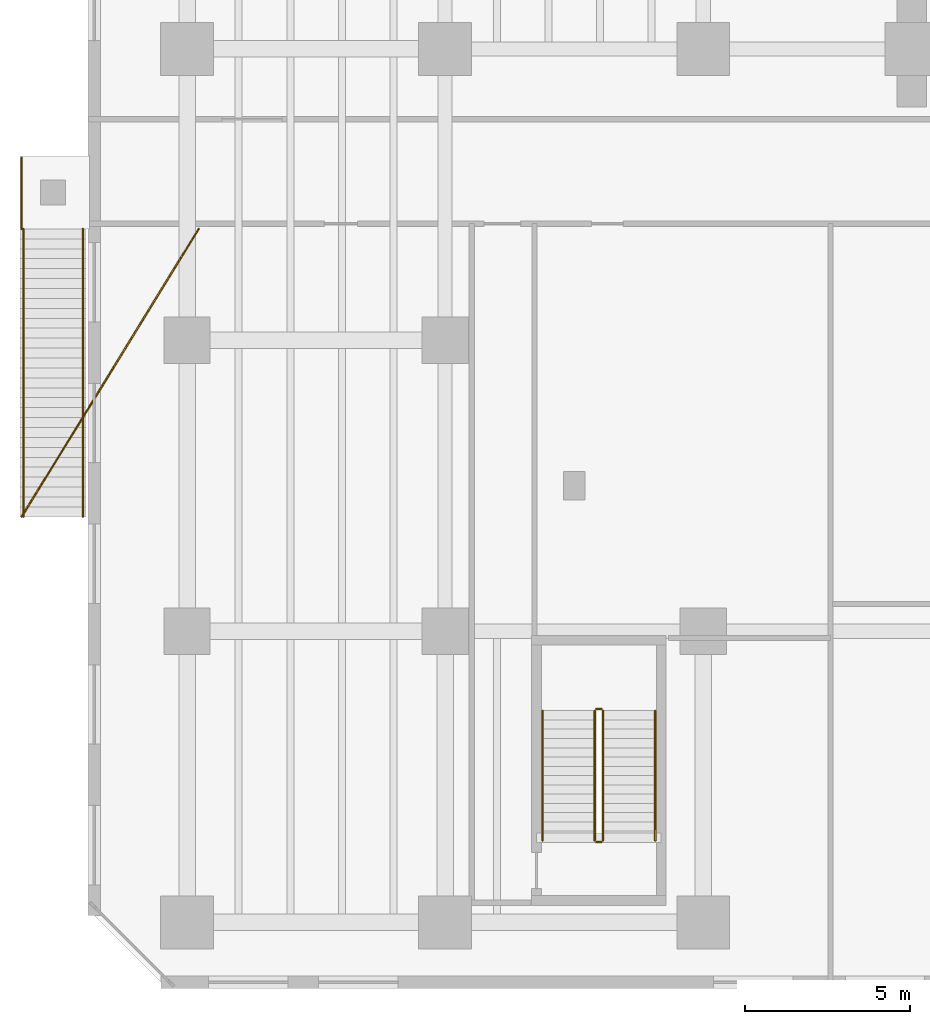
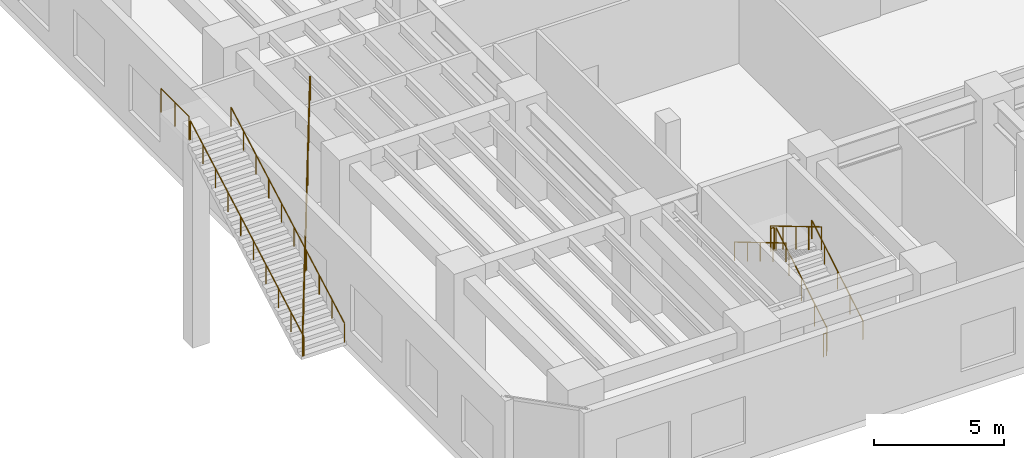
# One storey, part 18 of 19: 10 railings.
"""IFC4 building model written with IfcOpenShell, lengths in metres."""

from ifc_helpers import new_model, si_unit, direction, frame, origin, origin_2d, place, context, subcontext, project, spatial, circle, extrude, material, type_object, element, save


model = new_model("IFC4")

# Units and contexts
model_context = context("Model", 3, precision=1e-05, world=origin(), true_north=direction((0.0, 1.0)))
body_context = subcontext(model_context, "Body", "Model", "MODEL_VIEW")
ifc_project = project(units=[si_unit("LENGTHUNIT", "METRE"), si_unit("AREAUNIT", "SQUARE_METRE"), si_unit("VOLUMEUNIT", "CUBIC_METRE"), si_unit("PLANEANGLEUNIT", "RADIAN"), si_unit("MASSUNIT", "GRAM", prefix="KILO")], contexts=[model_context])

# Site, building, storey
site_placement = place(None, origin())
site = spatial("IfcSite", under=ifc_project, at=site_placement, CompositionType="ELEMENT")
building_placement = place(site_placement, origin())
building = spatial("IfcBuilding", under=site, at=building_placement, Name="Kestravale Grand Hotel", CompositionType="ELEMENT")
storey_placement = place(building_placement, frame((0.0, 0.0, 5.39990234375)))
storey = spatial("IfcBuildingStorey", under=building, at=storey_placement, Name="L01", CompositionType="ELEMENT", Elevation=5.39990234375)

# Railings
ifc_material_1 = material(Name="Champagne-bronze stainless steel and laminated glass guard", Category="steel")
railing_type_1 = type_object("IfcRailingType", Name="RL-EXT-1100", PredefinedType="GUARDRAIL", material=ifc_material_1)
railing_1_placement = place(storey_placement, frame((-5.0, 14.659912109375, 0.166748046875)))
element("IfcRailing", 1, at=railing_1_placement, inside=storey, type_object=railing_type_1, Name="L01 garden stair flight guard", PredefinedType="GUARDRAIL", context=body_context, shape_type="SweptSolid", body=[
    extrude(circle(Radius=0.02392578125, at=origin_2d()), frame((0.0, 0.0, 1.09619140625), z_axis=(0.473483576027, 0.769967176932, 0.427742737729), x_axis=(-0.851827341363, 0.523822661315, 0.0)), (0.0, 0.0, 1.0), 11.29931640625),
    extrude(circle(Radius=0.02099609375, at=origin_2d()), origin(), (0.0, 0.0, 1.0), 1.072021484375),
    extrude(circle(Radius=0.02099609375, at=origin_2d()), frame((0.8916015625, 1.449951171875, 0.8056640625)), (0.0, 0.0, 1.0), 1.072021484375),
    extrude(circle(Radius=0.02099609375, at=origin_2d()), frame((1.783447265625, 2.900146484375, 1.611083984375)), (0.0, 0.0, 1.0), 1.072021484375),
    extrude(circle(Radius=0.02099609375, at=origin_2d()), frame((2.675048828125, 4.35009765625, 2.41650390625)), (0.0, 0.0, 1.0), 1.072021484375),
    extrude(circle(Radius=0.02099609375, at=origin_2d()), frame((3.566650390625, 5.800048828125, 3.22216796875)), (0.0, 0.0, 1.0), 1.072021484375),
    extrude(circle(Radius=0.02099609375, at=origin_2d()), frame((4.45849609375, 7.250244140625, 4.02783203125)), (0.0, 0.0, 1.0), 1.072021484375),
    extrude(circle(Radius=0.02099609375, at=origin_2d()), frame((5.35009765625, 8.7001953125, 4.833251953125)), (0.0, 0.0, 1.0), 1.072021484375),
])
railing_2_placement = place(storey_placement, frame((-5.0, 23.360107421875, 5.0)))
element("IfcRailing", 2, at=railing_2_placement, inside=storey, type_object=railing_type_1, Name="L01 garden stair landing guard", PredefinedType="GUARDRAIL", context=body_context, shape_type="SweptSolid", body=[
    extrude(circle(Radius=0.02392578125, at=origin_2d()), frame((0.0, 0.0, 1.09619140625), z_axis=(0.0, 1.0, 0.0), x_axis=(-1.0, 0.0, 0.0)), (0.0, 0.0, 1.0), 2.14990234375),
    extrude(circle(Radius=0.02099609375, at=origin_2d()), origin(), (0.0, 0.0, 1.0), 1.072021484375),
    extrude(circle(Radius=0.02099609375, at=origin_2d()), frame((0.0, 1.074951171875, 0.0)), (0.0, 0.0, 1.0), 1.072021484375),
    extrude(circle(Radius=0.02099609375, at=origin_2d()), frame((0.0, 2.14990234375, 0.0)), (0.0, 0.0, 1.0), 1.072021484375),
])
ifc_material_2 = material(Name="Brushed bronze stainless steel handrail", Category="steel")
railing_type_2 = type_object("IfcRailingType", Name="RL-EXT-915", PredefinedType="HANDRAIL", material=ifc_material_2)
for number, where, name in (
    (3, (-4.949951171875, 14.659912109375, 0.166748046875), "L01 garden stair handrail W"),
    (4, (-3.14990234375, 14.659912109375, 0.166748046875), "L01 garden stair handrail E"),
):
    element("IfcRailing", number, at=place(storey_placement, frame(where)), inside=storey, type_object=railing_type_2, Name=name, PredefinedType="HANDRAIL", context=body_context, shape_type="SweptSolid", body=[
        extrude(circle(Radius=0.02392578125, at=origin_2d()), frame((0.0, 0.0, 0.89111328125), z_axis=(0.0, 0.874165375661, 0.485628351722), x_axis=(-1.0, 0.0, 0.0)), (0.0, 0.0, 1.0), 9.95263671875),
        extrude(circle(Radius=0.02099609375, at=origin_2d()), origin(), (0.0, 0.0, 1.0), 0.866943359375),
        extrude(circle(Radius=0.02099609375, at=origin_2d()), frame((0.0, 0.966796875, 0.537109375)), (0.0, 0.0, 1.0), 0.866943359375),
        extrude(circle(Radius=0.02099609375, at=origin_2d()), frame((0.0, 1.933349609375, 1.073974609375)), (0.0, 0.0, 1.0), 0.866943359375),
        extrude(circle(Radius=0.02099609375, at=origin_2d()), frame((0.0, 2.900146484375, 1.611083984375)), (0.0, 0.0, 1.0), 0.866943359375),
        extrude(circle(Radius=0.02099609375, at=origin_2d()), frame((0.0, 3.86669921875, 2.148193359375)), (0.0, 0.0, 1.0), 0.866943359375),
        extrude(circle(Radius=0.02099609375, at=origin_2d()), frame((0.0, 4.83349609375, 2.68505859375)), (0.0, 0.0, 1.0), 0.866943359375),
        extrude(circle(Radius=0.02099609375, at=origin_2d()), frame((0.0, 5.800048828125, 3.22216796875)), (0.0, 0.0, 1.0), 0.866943359375),
        extrude(circle(Radius=0.02099609375, at=origin_2d()), frame((0.0, 6.766845703125, 3.75927734375)), (0.0, 0.0, 1.0), 0.866943359375),
        extrude(circle(Radius=0.02099609375, at=origin_2d()), frame((0.0, 7.7333984375, 4.296142578125)), (0.0, 0.0, 1.0), 0.866943359375),
        extrude(circle(Radius=0.02099609375, at=origin_2d()), frame((0.0, 8.7001953125, 4.833251953125)), (0.0, 0.0, 1.0), 0.866943359375),
    ])
ifc_material_3 = material(Name="Painted tubular steel stair well guard", Category="steel")
railing_type_3 = type_object("IfcRailingType", Name="RL-ST-GRD1100", PredefinedType="GUARDRAIL", material=ifc_material_3)
railing_3_placement = place(storey_placement, frame((12.570068359375, 4.8798828125, 0.166748046875)))
element("IfcRailing", 5, at=railing_3_placement, inside=storey, type_object=railing_type_3, Name="L01 ST-4 stair guard 1", PredefinedType="GUARDRAIL", context=body_context, shape_type="SweptSolid", body=[
    extrude(circle(Radius=0.02392578125, at=origin_2d()), frame((0.0, 0.0, 1.076171875), z_axis=(0.0, 0.859310244771, 0.511454693235), x_axis=(-1.0, 0.0, 0.0)), (0.0, 0.0, 1.0), 4.56201171875),
    extrude(circle(Radius=0.02099609375, at=origin_2d()), origin(), (0.0, 0.0, 1.0), 1.052001953125),
    extrude(circle(Radius=0.02099609375, at=origin_2d()), frame((0.0, 0.97998046875, 0.583251953125)), (0.0, 0.0, 1.0), 1.052001953125),
    extrude(circle(Radius=0.02099609375, at=origin_2d()), frame((0.0, 1.9599609375, 1.16650390625)), (0.0, 0.0, 1.0), 1.052001953125),
    extrude(circle(Radius=0.02099609375, at=origin_2d()), frame((0.0, 2.940185546875, 1.75)), (0.0, 0.0, 1.0), 1.052001953125),
    extrude(circle(Radius=0.02099609375, at=origin_2d()), frame((0.0, 3.920166015625, 2.333251953125)), (0.0, 0.0, 1.0), 1.052001953125),
])
railing_4_placement = place(storey_placement, frame((12.52001953125, 8.85009765625, 2.5)))
element("IfcRailing", 6, at=railing_4_placement, inside=storey, type_object=railing_type_3, Name="L01 ST-4 stair guard 2", PredefinedType="GUARDRAIL", context=body_context, shape_type="SweptSolid", body=[
    extrude(circle(Radius=0.02392578125, at=origin_2d()), frame((0.0, 0.0, 1.076171875), z_axis=(-1.0, 0.0, 0.0), x_axis=(0.0, -1.0, 0.0)), (0.0, 0.0, 1.0), 0.14990234375),
    extrude(circle(Radius=0.02099609375, at=origin_2d()), origin(), (0.0, 0.0, 1.0), 1.052001953125),
    extrude(circle(Radius=0.02099609375, at=origin_2d()), frame((-0.14990234375, 0.0, 0.0)), (0.0, 0.0, 1.0), 1.052001953125),
])
railing_5_placement = place(storey_placement, frame((12.320068359375, 8.800048828125, 2.666748046875)))
element("IfcRailing", 7, at=railing_5_placement, inside=storey, type_object=railing_type_3, Name="L01 ST-4 stair guard 3", PredefinedType="GUARDRAIL", context=body_context, shape_type="SweptSolid", body=[
    extrude(circle(Radius=0.02392578125, at=origin_2d()), frame((0.0, 0.0, 1.076171875), z_axis=(0.0, -0.859310244771, 0.511454693235), x_axis=(1.0, 0.0, 0.0)), (0.0, 0.0, 1.0), 4.56201171875),
    extrude(circle(Radius=0.02099609375, at=origin_2d()), origin(), (0.0, 0.0, 1.0), 1.052001953125),
    extrude(circle(Radius=0.02099609375, at=origin_2d()), frame((0.0, -0.97998046875, 0.583251953125)), (0.0, 0.0, 1.0), 1.052001953125),
    extrude(circle(Radius=0.02099609375, at=origin_2d()), frame((0.0, -1.9599609375, 1.16650390625)), (0.0, 0.0, 1.0), 1.052001953125),
    extrude(circle(Radius=0.02099609375, at=origin_2d()), frame((0.0, -2.940185546875, 1.75)), (0.0, 0.0, 1.0), 1.052001953125),
    extrude(circle(Radius=0.02099609375, at=origin_2d()), frame((0.0, -3.920166015625, 2.333251953125)), (0.0, 0.0, 1.0), 1.052001953125),
])
railing_6_placement = place(storey_placement, frame((12.52001953125, 4.830078125, 0.0)))
element("IfcRailing", 8, at=railing_6_placement, inside=storey, type_object=railing_type_3, Name="L01 ST-4 stair guard 4", PredefinedType="GUARDRAIL", context=body_context, shape_type="SweptSolid", body=[
    extrude(circle(Radius=0.02392578125, at=origin_2d()), frame((0.0, 0.0, 1.076171875), z_axis=(-1.0, 0.0, 0.0), x_axis=(0.0, -1.0, 0.0)), (0.0, 0.0, 1.0), 0.14990234375),
    extrude(circle(Radius=0.02099609375, at=origin_2d()), origin(), (0.0, 0.0, 1.0), 1.052001953125),
    extrude(circle(Radius=0.02099609375, at=origin_2d()), frame((-0.14990234375, 0.0, 0.0)), (0.0, 0.0, 1.0), 1.052001953125),
])
ifc_material_4 = material(Name="Brushed stainless steel wall handrail", Category="steel")
railing_type_4 = type_object("IfcRailingType", Name="RL-ST-HND900", PredefinedType="HANDRAIL", material=ifc_material_4)
railing_7_placement = place(storey_placement, frame((14.14990234375, 4.8798828125, 0.166748046875)))
element("IfcRailing", 9, at=railing_7_placement, inside=storey, type_object=railing_type_4, Name="L01 ST-4 stair handrail 1", PredefinedType="HANDRAIL", context=body_context, shape_type="SweptSolid", body=[
    extrude(circle(Radius=0.02392578125, at=origin_2d()), frame((0.0, 0.0, 0.8759765625), z_axis=(0.0, 0.859310244771, 0.511454693235), x_axis=(-1.0, 0.0, 0.0)), (0.0, 0.0, 1.0), 4.56201171875),
    extrude(circle(Radius=0.02099609375, at=origin_2d()), origin(), (0.0, 0.0, 1.0), 0.851806640625),
    extrude(circle(Radius=0.02099609375, at=origin_2d()), frame((0.0, 0.97998046875, 0.583251953125)), (0.0, 0.0, 1.0), 0.851806640625),
    extrude(circle(Radius=0.02099609375, at=origin_2d()), frame((0.0, 1.9599609375, 1.16650390625)), (0.0, 0.0, 1.0), 0.851806640625),
    extrude(circle(Radius=0.02099609375, at=origin_2d()), frame((0.0, 2.940185546875, 1.75)), (0.0, 0.0, 1.0), 0.851806640625),
    extrude(circle(Radius=0.02099609375, at=origin_2d()), frame((0.0, 3.920166015625, 2.333251953125)), (0.0, 0.0, 1.0), 0.851806640625),
])
railing_8_placement = place(storey_placement, frame((10.739990234375, 8.800048828125, 2.666748046875)))
element("IfcRailing", 10, at=railing_8_placement, inside=storey, type_object=railing_type_4, Name="L01 ST-4 stair handrail 2", PredefinedType="HANDRAIL", context=body_context, shape_type="SweptSolid", body=[
    extrude(circle(Radius=0.02392578125, at=origin_2d()), frame((0.0, 0.0, 0.8759765625), z_axis=(0.0, -0.859310244771, 0.511454693235), x_axis=(1.0, 0.0, 0.0)), (0.0, 0.0, 1.0), 4.56201171875),
    extrude(circle(Radius=0.02099609375, at=origin_2d()), origin(), (0.0, 0.0, 1.0), 0.851806640625),
    extrude(circle(Radius=0.02099609375, at=origin_2d()), frame((0.0, -0.97998046875, 0.583251953125)), (0.0, 0.0, 1.0), 0.851806640625),
    extrude(circle(Radius=0.02099609375, at=origin_2d()), frame((0.0, -1.9599609375, 1.16650390625)), (0.0, 0.0, 1.0), 0.851806640625),
    extrude(circle(Radius=0.02099609375, at=origin_2d()), frame((0.0, -2.940185546875, 1.75)), (0.0, 0.0, 1.0), 0.851806640625),
    extrude(circle(Radius=0.02099609375, at=origin_2d()), frame((0.0, -3.920166015625, 2.333251953125)), (0.0, 0.0, 1.0), 0.851806640625),
])

save(model, "model.ifc")
